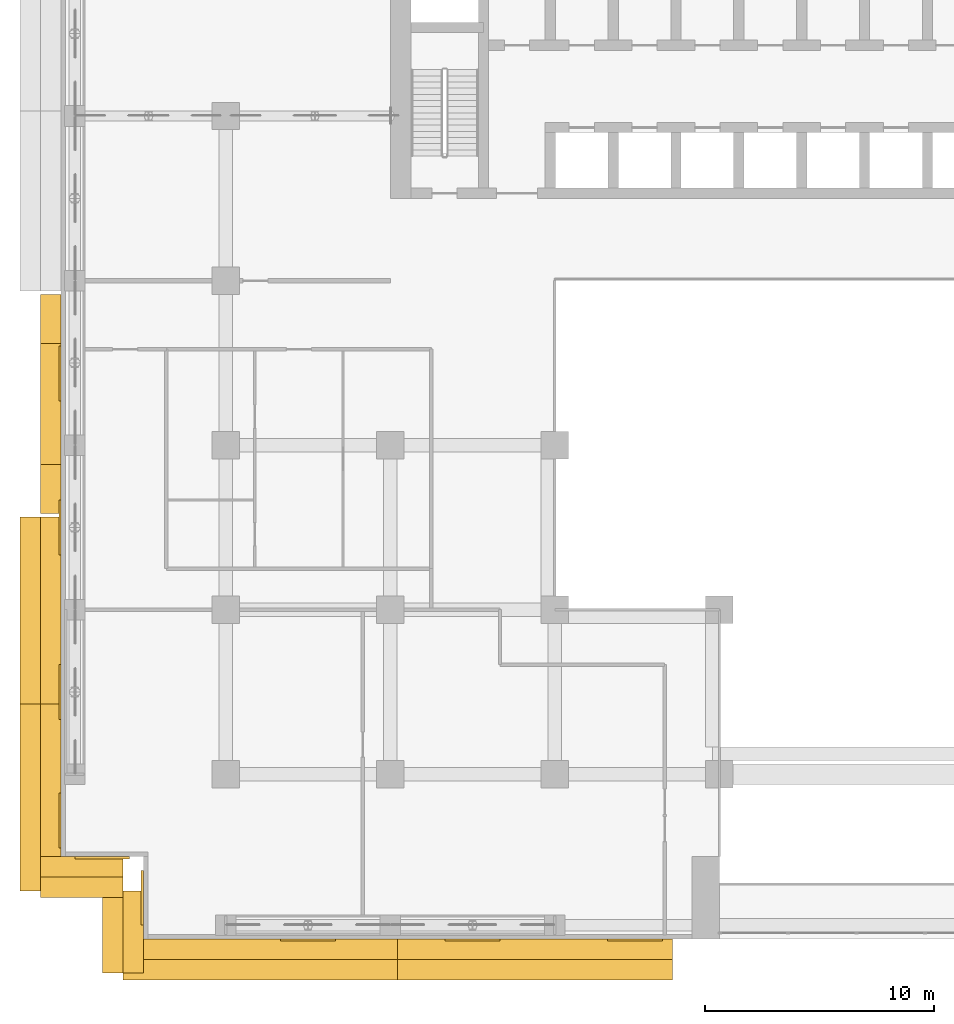
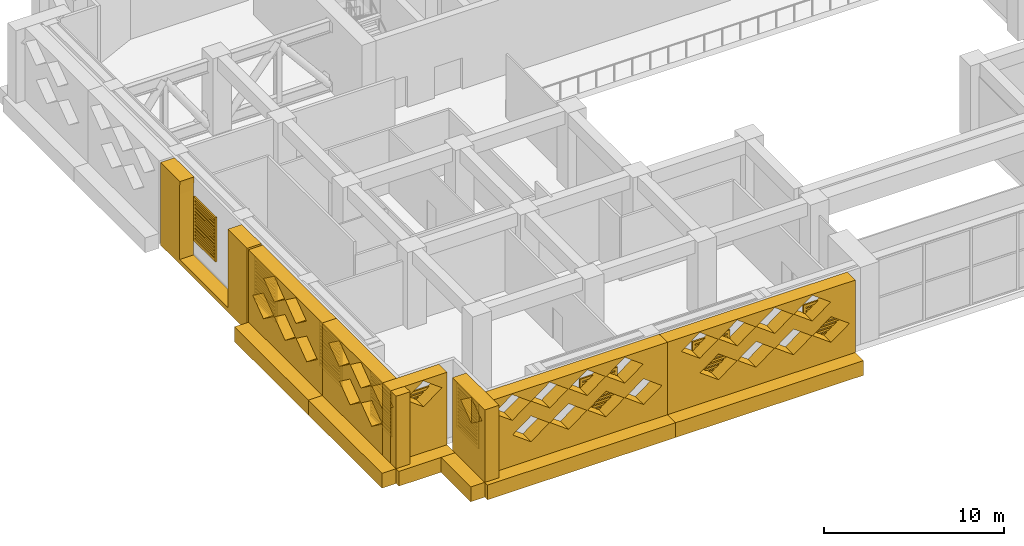
# One storey, part 15 of 19: 22 coverings.
"""IFC4 building model written with IfcOpenShell, lengths in metres."""

from ifc_helpers import new_model, si_unit, direction, frame, origin, place, context, subcontext, project, spatial, polyline, outline, extrude, material, layer, layer_set, type_object, element, save


model = new_model("IFC4")

# Units and contexts
model_context = context("Model", 3, precision=1e-05, world=origin(), true_north=direction((0.0, 1.0)))
body_context = subcontext(model_context, "Body", "Model", "MODEL_VIEW")
ifc_project = project(units=[si_unit("LENGTHUNIT", "METRE"), si_unit("AREAUNIT", "SQUARE_METRE"), si_unit("VOLUMEUNIT", "CUBIC_METRE"), si_unit("PLANEANGLEUNIT", "RADIAN"), si_unit("MASSUNIT", "GRAM", prefix="KILO")], contexts=[model_context])

# Site, building, storey
site_placement = place(None, origin())
site = spatial("IfcSite", under=ifc_project, at=site_placement, CompositionType="ELEMENT")
building_placement = place(site_placement, origin())
building = spatial("IfcBuilding", under=site, at=building_placement, Name="Saffron Iwan Residences", CompositionType="ELEMENT")
storey_placement = place(building_placement, frame((0.0, 0.0, 107.5)))
storey = spatial("IfcBuildingStorey", under=building, at=storey_placement, Name="L28", CompositionType="ELEMENT", Elevation=107.5)

# Coverings
ifc_material_1 = material(Name="Precast concrete C40/50 white painted", Category="concrete")
covering_type_1 = type_object("IfcCoveringType", Name="IWAN PANEL PRECAST WHITE", PredefinedType="CLADDING", material=ifc_material_1)
covering_1_placement = place(storey_placement, frame((14.39990234375, 61.800048828125, -0.39990234375), z_axis=(-1.0, 0.0, 0.0), x_axis=(0.0, -1.0, 0.0)))
element("IfcCovering", 1, at=covering_1_placement, inside=storey, type_object=covering_type_1, Name="Iwan panel L28 F8.0", PredefinedType="CLADDING", context=body_context, shape_type="SweptSolid", body=[
    extrude(outline(polyline([(9.60009765625, 5.60009765625), (9.60009765625, 0.0), (0.0, 0.0), (0.0, 5.60009765625), (2.149169921875, 5.60009765625), (2.12841796875, 5.42529296875), (2.10009765625, 4.7041015625), (2.10009765625, 0.300048828125), (7.5, 0.300048828125), (7.5, 4.7041015625), (7.4716796875, 5.42529296875), (7.45068359375, 5.60009765625), (9.60009765625, 5.60009765625)])), origin(), (0.0, 0.0, 1.0), 0.89990234375),
])
ifc_material_2 = material(Name="Precast concrete C40/50", Category="concrete")
covering_type_2 = type_object("IfcCoveringType", Name="OUTER SKIN LATTICE SCREEN", PredefinedType="CLADDING", material=ifc_material_2)
covering_2_placement = place(storey_placement, frame((14.39990234375, 52.050048828125, -0.39990234375), z_axis=(-1.0, 0.0, 0.0), x_axis=(0.0, -1.0, 0.0)))
element("IfcCovering", 2, at=covering_2_placement, inside=storey, type_object=covering_type_2, Name="OUTER SKIN lattice screen L28 F8.2", PredefinedType="CLADDING", context=body_context, shape_type="SweptSolid", body=[
    extrude(outline(polyline([(0.0, 0.0), (8.175048828125, 0.0), (8.175048828125, 5.60009765625), (0.0, 5.60009765625), (0.0, 0.0)]), holes=[polyline([(0.469970703125, 2.800048828125), (1.64990234375, 1.9267578125), (2.830078125, 2.800048828125), (1.64990234375, 3.67333984375), (0.469970703125, 2.800048828125)]), polyline([(2.8701171875, 2.800048828125), (4.050048828125, 1.9267578125), (5.22998046875, 2.800048828125), (4.050048828125, 3.67333984375), (2.8701171875, 2.800048828125)]), polyline([(5.27001953125, 2.800048828125), (6.449951171875, 1.9267578125), (7.6298828125, 2.800048828125), (6.449951171875, 3.67333984375), (5.27001953125, 2.800048828125)]), polyline([(1.669921875, 4.666748046875), (2.85009765625, 3.793212890625), (4.030029296875, 4.666748046875), (2.85009765625, 5.5400390625), (1.669921875, 4.666748046875)]), polyline([(4.070068359375, 4.666748046875), (5.25, 3.793212890625), (6.429931640625, 4.666748046875), (5.25, 5.5400390625), (4.070068359375, 4.666748046875)])]), origin(), (0.0, 0.0, 1.0), 0.89990234375),
])
covering_3_placement = place(storey_placement, frame((14.39990234375, 43.875, -0.39990234375), z_axis=(-1.0, 0.0, 0.0), x_axis=(0.0, -1.0, 0.0)))
element("IfcCovering", 3, at=covering_3_placement, inside=storey, type_object=covering_type_2, Name="OUTER SKIN lattice screen L28 F8.3", PredefinedType="CLADDING", context=body_context, shape_type="SweptSolid", body=[
    extrude(outline(polyline([(0.0, 0.0), (8.175048828125, 0.0), (8.175048828125, 5.60009765625), (0.0, 5.60009765625), (0.0, 0.0)]), holes=[polyline([(1.89501953125, 2.800048828125), (3.074951171875, 1.9267578125), (4.2548828125, 2.800048828125), (3.074951171875, 3.67333984375), (1.89501953125, 2.800048828125)]), polyline([(4.294921875, 2.800048828125), (5.47509765625, 1.9267578125), (6.655029296875, 2.800048828125), (5.47509765625, 3.67333984375), (4.294921875, 2.800048828125)]), polyline([(0.695068359375, 4.666748046875), (1.875, 3.793212890625), (3.054931640625, 4.666748046875), (1.875, 5.5400390625), (0.695068359375, 4.666748046875)]), polyline([(3.094970703125, 4.666748046875), (4.27490234375, 3.793212890625), (5.455078125, 4.666748046875), (4.27490234375, 5.5400390625), (3.094970703125, 4.666748046875)]), polyline([(5.4951171875, 4.666748046875), (6.675048828125, 3.793212890625), (7.85498046875, 4.666748046875), (6.675048828125, 5.5400390625), (5.4951171875, 4.666748046875)])]), origin(), (0.0, 0.0, 1.0), 0.89990234375),
])
for number, where, z_axis, x_axis, name in (
    (4, (13.5, 37.199951171875, -0.39990234375), (0.0, -1.0, 0.0), (1.0, 0.0, 0.0), "OUTER SKIN lattice screen L28 F9.0"),
    (5, (18.0, 35.699951171875, -0.39990234375), (-1.0, 0.0, 0.0), (0.0, -1.0, 0.0), "OUTER SKIN lattice screen L28 F10.0"),
):
    element("IfcCovering", number, at=place(storey_placement, frame(where, z_axis=z_axis, x_axis=x_axis)), inside=storey, type_object=covering_type_2, Name=name, PredefinedType="CLADDING", context=body_context, shape_type="SweptSolid", body=[
        extrude(outline(polyline([(0.0, 0.0), (3.60009765625, 0.0), (3.60009765625, 5.60009765625), (0.0, 5.60009765625), (0.0, 0.0)]), holes=[polyline([(0.919921875, 4.666748046875), (2.10009765625, 3.793212890625), (3.280029296875, 4.666748046875), (2.10009765625, 5.5400390625), (0.919921875, 4.666748046875)])]), origin(), (0.0, 0.0, 1.0), 0.89990234375),
    ])
covering_4_placement = place(storey_placement, frame((17.10009765625, 33.60009765625, -0.39990234375), z_axis=(0.0, -1.0, 0.0), x_axis=(1.0, 0.0, 0.0)))
element("IfcCovering", 6, at=covering_4_placement, inside=storey, type_object=covering_type_2, Name="OUTER SKIN lattice screen L28 F11.0", PredefinedType="CLADDING", context=body_context, shape_type="SweptSolid", body=[
    extrude(outline(polyline([(0.0, 0.0), (12.02490234375, 0.0), (12.02490234375, 5.60009765625), (0.0, 5.60009765625), (0.0, 0.0)]), holes=[polyline([(2.1201171875, 2.800048828125), (3.300048828125, 1.9267578125), (4.47998046875, 2.800048828125), (3.300048828125, 3.67333984375), (2.1201171875, 2.800048828125)]), polyline([(4.52001953125, 2.800048828125), (5.699951171875, 1.9267578125), (6.8798828125, 2.800048828125), (5.699951171875, 3.67333984375), (4.52001953125, 2.800048828125)]), polyline([(6.919921875, 2.800048828125), (8.10009765625, 1.9267578125), (9.280029296875, 2.800048828125), (8.10009765625, 3.67333984375), (6.919921875, 2.800048828125)]), polyline([(9.320068359375, 2.800048828125), (10.5, 1.9267578125), (11.679931640625, 2.800048828125), (10.5, 3.67333984375), (9.320068359375, 2.800048828125)]), polyline([(0.919921875, 4.666748046875), (2.10009765625, 3.793212890625), (3.280029296875, 4.666748046875), (2.10009765625, 5.5400390625), (0.919921875, 4.666748046875)]), polyline([(3.320068359375, 4.666748046875), (4.5, 3.793212890625), (5.679931640625, 4.666748046875), (4.5, 5.5400390625), (3.320068359375, 4.666748046875)]), polyline([(5.719970703125, 4.666748046875), (6.89990234375, 3.793212890625), (8.080078125, 4.666748046875), (6.89990234375, 5.5400390625), (5.719970703125, 4.666748046875)]), polyline([(8.1201171875, 4.666748046875), (9.300048828125, 3.793212890625), (10.47998046875, 4.666748046875), (9.300048828125, 5.5400390625), (8.1201171875, 4.666748046875)])]), origin(), (0.0, 0.0, 1.0), 0.900146484375),
])
covering_5_placement = place(storey_placement, frame((29.125, 33.60009765625, -0.39990234375), z_axis=(0.0, -1.0, 0.0), x_axis=(1.0, 0.0, 0.0)))
element("IfcCovering", 7, at=covering_5_placement, inside=storey, type_object=covering_type_2, Name="OUTER SKIN lattice screen L28 F11.1", PredefinedType="CLADDING", context=body_context, shape_type="SweptSolid", body=[
    extrude(outline(polyline([(0.0, 0.0), (12.02490234375, 0.0), (12.02490234375, 5.60009765625), (0.0, 5.60009765625), (0.0, 0.0)]), holes=[polyline([(2.094970703125, 2.800048828125), (3.27490234375, 1.9267578125), (4.455078125, 2.800048828125), (3.27490234375, 3.67333984375), (2.094970703125, 2.800048828125)]), polyline([(4.4951171875, 2.800048828125), (5.675048828125, 1.9267578125), (6.85498046875, 2.800048828125), (5.675048828125, 3.67333984375), (4.4951171875, 2.800048828125)]), polyline([(6.89501953125, 2.800048828125), (8.074951171875, 1.9267578125), (9.2548828125, 2.800048828125), (8.074951171875, 3.67333984375), (6.89501953125, 2.800048828125)]), polyline([(9.294921875, 2.800048828125), (10.47509765625, 1.9267578125), (11.655029296875, 2.800048828125), (10.47509765625, 3.67333984375), (9.294921875, 2.800048828125)]), polyline([(0.89501953125, 4.666748046875), (2.074951171875, 3.793212890625), (3.2548828125, 4.666748046875), (2.074951171875, 5.5400390625), (0.89501953125, 4.666748046875)]), polyline([(3.294921875, 4.666748046875), (4.47509765625, 3.793212890625), (5.655029296875, 4.666748046875), (4.47509765625, 5.5400390625), (3.294921875, 4.666748046875)]), polyline([(5.695068359375, 4.666748046875), (6.875, 3.793212890625), (8.054931640625, 4.666748046875), (6.875, 5.5400390625), (5.695068359375, 4.666748046875)]), polyline([(8.094970703125, 4.666748046875), (9.27490234375, 3.793212890625), (10.455078125, 4.666748046875), (9.27490234375, 5.5400390625), (8.094970703125, 4.666748046875)])]), origin(), (0.0, 0.0, 1.0), 0.900146484375),
])
ifc_material_3 = material(Name="Aluminium 6063-T6 louvre", Category="aluminium")
covering_type_3 = type_object("IfcCoveringType", Name="PLANT LOUVRE PANEL 2400 x 3000", PredefinedType="CLADDING", material=ifc_material_3)
covering_6_placement = place(storey_placement, frame((14.39990234375, 59.52880859375, 1.0), z_axis=(-1.0, 0.0, 0.0), x_axis=(0.0, -1.0, 0.0)))
element("IfcCovering", 8, at=covering_6_placement, inside=storey, type_object=covering_type_3, Name="Plant louvre L28 F8.0", PredefinedType="CLADDING", context=body_context, shape_type="SweptSolid", body=[
    extrude(outline(polyline([(0.0, 0.0), (2.39990234375, 0.0), (2.39990234375, 3.0), (0.0, 3.0), (0.0, 0.0)]), holes=[polyline([(0.14990234375, 0.199951171875), (2.25, 0.199951171875), (2.25, 0.2900390625), (0.14990234375, 0.2900390625), (0.14990234375, 0.199951171875)]), polyline([(0.14990234375, 0.429931640625), (2.25, 0.429931640625), (2.25, 0.52001953125), (0.14990234375, 0.52001953125), (0.14990234375, 0.429931640625)]), polyline([(0.14990234375, 0.659912109375), (2.25, 0.659912109375), (2.25, 0.75), (0.14990234375, 0.75), (0.14990234375, 0.659912109375)]), polyline([(0.14990234375, 0.889892578125), (2.25, 0.889892578125), (2.25, 0.97998046875), (0.14990234375, 0.97998046875), (0.14990234375, 0.889892578125)]), polyline([(0.14990234375, 1.1201171875), (2.25, 1.1201171875), (2.25, 1.2099609375), (0.14990234375, 1.2099609375), (0.14990234375, 1.1201171875)]), polyline([(0.14990234375, 1.35009765625), (2.25, 1.35009765625), (2.25, 1.43994140625), (0.14990234375, 1.43994140625), (0.14990234375, 1.35009765625)]), polyline([(0.14990234375, 1.580078125), (2.25, 1.580078125), (2.25, 1.669921875), (0.14990234375, 1.669921875), (0.14990234375, 1.580078125)]), polyline([(0.14990234375, 1.81005859375), (2.25, 1.81005859375), (2.25, 1.89990234375), (0.14990234375, 1.89990234375), (0.14990234375, 1.81005859375)]), polyline([(0.14990234375, 2.0400390625), (2.25, 2.0400390625), (2.25, 2.1298828125), (0.14990234375, 2.1298828125), (0.14990234375, 2.0400390625)]), polyline([(0.14990234375, 2.27001953125), (2.25, 2.27001953125), (2.25, 2.360107421875), (0.14990234375, 2.360107421875), (0.14990234375, 2.27001953125)]), polyline([(0.14990234375, 2.5), (2.25, 2.5), (2.25, 2.590087890625), (0.14990234375, 2.590087890625), (0.14990234375, 2.5)]), polyline([(0.14990234375, 2.72998046875), (2.25, 2.72998046875), (2.25, 2.820068359375), (0.14990234375, 2.820068359375), (0.14990234375, 2.72998046875)])]), origin(), (0.0, 0.0, 1.0), 0.099853515625),
])
covering_7_placement = place(storey_placement, frame((14.39990234375, 52.800048828125, 1.0), z_axis=(-1.0, 0.0, 0.0), x_axis=(0.0, -1.0, 0.0)))
element("IfcCovering", 9, at=covering_7_placement, inside=storey, type_object=covering_type_3, Name="Plant louvre L28 F8.1", PredefinedType="CLADDING", context=body_context, shape_type="SweptSolid", body=[
    extrude(outline(polyline([(0.0, 0.0), (2.39990234375, 0.0), (2.39990234375, 3.0), (0.0, 3.0), (0.0, 0.0)]), holes=[polyline([(0.14990234375, 0.199951171875), (2.25, 0.199951171875), (2.25, 0.2900390625), (0.14990234375, 0.2900390625), (0.14990234375, 0.199951171875)]), polyline([(0.14990234375, 0.429931640625), (2.25, 0.429931640625), (2.25, 0.52001953125), (0.14990234375, 0.52001953125), (0.14990234375, 0.429931640625)]), polyline([(0.14990234375, 0.659912109375), (2.25, 0.659912109375), (2.25, 0.75), (0.14990234375, 0.75), (0.14990234375, 0.659912109375)]), polyline([(0.14990234375, 0.889892578125), (2.25, 0.889892578125), (2.25, 0.97998046875), (0.14990234375, 0.97998046875), (0.14990234375, 0.889892578125)]), polyline([(0.14990234375, 1.1201171875), (2.25, 1.1201171875), (2.25, 1.2099609375), (0.14990234375, 1.2099609375), (0.14990234375, 1.1201171875)]), polyline([(0.14990234375, 1.35009765625), (2.25, 1.35009765625), (2.25, 1.43994140625), (0.14990234375, 1.43994140625), (0.14990234375, 1.35009765625)]), polyline([(0.14990234375, 1.580078125), (2.25, 1.580078125), (2.25, 1.669921875), (0.14990234375, 1.669921875), (0.14990234375, 1.580078125)]), polyline([(0.14990234375, 1.81005859375), (2.25, 1.81005859375), (2.25, 1.89990234375), (0.14990234375, 1.89990234375), (0.14990234375, 1.81005859375)]), polyline([(0.14990234375, 2.0400390625), (2.25, 2.0400390625), (2.25, 2.1298828125), (0.14990234375, 2.1298828125), (0.14990234375, 2.0400390625)]), polyline([(0.14990234375, 2.27001953125), (2.25, 2.27001953125), (2.25, 2.360107421875), (0.14990234375, 2.360107421875), (0.14990234375, 2.27001953125)]), polyline([(0.14990234375, 2.5), (2.25, 2.5), (2.25, 2.590087890625), (0.14990234375, 2.590087890625), (0.14990234375, 2.5)]), polyline([(0.14990234375, 2.72998046875), (2.25, 2.72998046875), (2.25, 2.820068359375), (0.14990234375, 2.820068359375), (0.14990234375, 2.72998046875)])]), origin(), (0.0, 0.0, 1.0), 0.099853515625),
])
covering_8_placement = place(storey_placement, frame((14.39990234375, 45.60009765625, 1.0), z_axis=(-1.0, 0.0, 0.0), x_axis=(0.0, -1.0, 0.0)))
element("IfcCovering", 10, at=covering_8_placement, inside=storey, type_object=covering_type_3, Name="Plant louvre L28 F8.2", PredefinedType="CLADDING", context=body_context, shape_type="SweptSolid", body=[
    extrude(outline(polyline([(0.0, 0.0), (2.39990234375, 0.0), (2.39990234375, 3.0), (0.0, 3.0), (0.0, 0.0)]), holes=[polyline([(0.14990234375, 0.199951171875), (2.25, 0.199951171875), (2.25, 0.2900390625), (0.14990234375, 0.2900390625), (0.14990234375, 0.199951171875)]), polyline([(0.14990234375, 0.429931640625), (2.25, 0.429931640625), (2.25, 0.52001953125), (0.14990234375, 0.52001953125), (0.14990234375, 0.429931640625)]), polyline([(0.14990234375, 0.659912109375), (2.25, 0.659912109375), (2.25, 0.75), (0.14990234375, 0.75), (0.14990234375, 0.659912109375)]), polyline([(0.14990234375, 0.889892578125), (2.25, 0.889892578125), (2.25, 0.97998046875), (0.14990234375, 0.97998046875), (0.14990234375, 0.889892578125)]), polyline([(0.14990234375, 1.1201171875), (2.25, 1.1201171875), (2.25, 1.2099609375), (0.14990234375, 1.2099609375), (0.14990234375, 1.1201171875)]), polyline([(0.14990234375, 1.35009765625), (2.25, 1.35009765625), (2.25, 1.43994140625), (0.14990234375, 1.43994140625), (0.14990234375, 1.35009765625)]), polyline([(0.14990234375, 1.580078125), (2.25, 1.580078125), (2.25, 1.669921875), (0.14990234375, 1.669921875), (0.14990234375, 1.580078125)]), polyline([(0.14990234375, 1.81005859375), (2.25, 1.81005859375), (2.25, 1.89990234375), (0.14990234375, 1.89990234375), (0.14990234375, 1.81005859375)]), polyline([(0.14990234375, 2.0400390625), (2.25, 2.0400390625), (2.25, 2.1298828125), (0.14990234375, 2.1298828125), (0.14990234375, 2.0400390625)]), polyline([(0.14990234375, 2.27001953125), (2.25, 2.27001953125), (2.25, 2.360107421875), (0.14990234375, 2.360107421875), (0.14990234375, 2.27001953125)]), polyline([(0.14990234375, 2.5), (2.25, 2.5), (2.25, 2.590087890625), (0.14990234375, 2.590087890625), (0.14990234375, 2.5)]), polyline([(0.14990234375, 2.72998046875), (2.25, 2.72998046875), (2.25, 2.820068359375), (0.14990234375, 2.820068359375), (0.14990234375, 2.72998046875)])]), origin(), (0.0, 0.0, 1.0), 0.099853515625),
])
covering_9_placement = place(storey_placement, frame((14.39990234375, 39.97509765625, 1.0), z_axis=(-1.0, 0.0, 0.0), x_axis=(0.0, -1.0, 0.0)))
element("IfcCovering", 11, at=covering_9_placement, inside=storey, type_object=covering_type_3, Name="Plant louvre L28 F8.3", PredefinedType="CLADDING", context=body_context, shape_type="SweptSolid", body=[
    extrude(outline(polyline([(0.0, 0.0), (2.39990234375, 0.0), (2.39990234375, 3.0), (0.0, 3.0), (0.0, 0.0)]), holes=[polyline([(0.14990234375, 0.199951171875), (2.25, 0.199951171875), (2.25, 0.2900390625), (0.14990234375, 0.2900390625), (0.14990234375, 0.199951171875)]), polyline([(0.14990234375, 0.429931640625), (2.25, 0.429931640625), (2.25, 0.52001953125), (0.14990234375, 0.52001953125), (0.14990234375, 0.429931640625)]), polyline([(0.14990234375, 0.659912109375), (2.25, 0.659912109375), (2.25, 0.75), (0.14990234375, 0.75), (0.14990234375, 0.659912109375)]), polyline([(0.14990234375, 0.889892578125), (2.25, 0.889892578125), (2.25, 0.97998046875), (0.14990234375, 0.97998046875), (0.14990234375, 0.889892578125)]), polyline([(0.14990234375, 1.1201171875), (2.25, 1.1201171875), (2.25, 1.2099609375), (0.14990234375, 1.2099609375), (0.14990234375, 1.1201171875)]), polyline([(0.14990234375, 1.35009765625), (2.25, 1.35009765625), (2.25, 1.43994140625), (0.14990234375, 1.43994140625), (0.14990234375, 1.35009765625)]), polyline([(0.14990234375, 1.580078125), (2.25, 1.580078125), (2.25, 1.669921875), (0.14990234375, 1.669921875), (0.14990234375, 1.580078125)]), polyline([(0.14990234375, 1.81005859375), (2.25, 1.81005859375), (2.25, 1.89990234375), (0.14990234375, 1.89990234375), (0.14990234375, 1.81005859375)]), polyline([(0.14990234375, 2.0400390625), (2.25, 2.0400390625), (2.25, 2.1298828125), (0.14990234375, 2.1298828125), (0.14990234375, 2.0400390625)]), polyline([(0.14990234375, 2.27001953125), (2.25, 2.27001953125), (2.25, 2.360107421875), (0.14990234375, 2.360107421875), (0.14990234375, 2.27001953125)]), polyline([(0.14990234375, 2.5), (2.25, 2.5), (2.25, 2.590087890625), (0.14990234375, 2.590087890625), (0.14990234375, 2.5)]), polyline([(0.14990234375, 2.72998046875), (2.25, 2.72998046875), (2.25, 2.820068359375), (0.14990234375, 2.820068359375), (0.14990234375, 2.72998046875)])]), origin(), (0.0, 0.0, 1.0), 0.099853515625),
])
covering_10_placement = place(storey_placement, frame((15.0, 37.199951171875, 1.0), z_axis=(0.0, -1.0, 0.0), x_axis=(1.0, 0.0, 0.0)))
element("IfcCovering", 12, at=covering_10_placement, inside=storey, type_object=covering_type_3, Name="Plant louvre L28 F9.0", PredefinedType="CLADDING", context=body_context, shape_type="SweptSolid", body=[
    extrude(outline(polyline([(0.0, 0.0), (2.39990234375, 0.0), (2.39990234375, 3.0), (0.0, 3.0), (0.0, 0.0)]), holes=[polyline([(0.14990234375, 0.199951171875), (2.25, 0.199951171875), (2.25, 0.2900390625), (0.14990234375, 0.2900390625), (0.14990234375, 0.199951171875)]), polyline([(0.14990234375, 0.429931640625), (2.25, 0.429931640625), (2.25, 0.52001953125), (0.14990234375, 0.52001953125), (0.14990234375, 0.429931640625)]), polyline([(0.14990234375, 0.659912109375), (2.25, 0.659912109375), (2.25, 0.75), (0.14990234375, 0.75), (0.14990234375, 0.659912109375)]), polyline([(0.14990234375, 0.889892578125), (2.25, 0.889892578125), (2.25, 0.97998046875), (0.14990234375, 0.97998046875), (0.14990234375, 0.889892578125)]), polyline([(0.14990234375, 1.1201171875), (2.25, 1.1201171875), (2.25, 1.2099609375), (0.14990234375, 1.2099609375), (0.14990234375, 1.1201171875)]), polyline([(0.14990234375, 1.35009765625), (2.25, 1.35009765625), (2.25, 1.43994140625), (0.14990234375, 1.43994140625), (0.14990234375, 1.35009765625)]), polyline([(0.14990234375, 1.580078125), (2.25, 1.580078125), (2.25, 1.669921875), (0.14990234375, 1.669921875), (0.14990234375, 1.580078125)]), polyline([(0.14990234375, 1.81005859375), (2.25, 1.81005859375), (2.25, 1.89990234375), (0.14990234375, 1.89990234375), (0.14990234375, 1.81005859375)]), polyline([(0.14990234375, 2.0400390625), (2.25, 2.0400390625), (2.25, 2.1298828125), (0.14990234375, 2.1298828125), (0.14990234375, 2.0400390625)]), polyline([(0.14990234375, 2.27001953125), (2.25, 2.27001953125), (2.25, 2.360107421875), (0.14990234375, 2.360107421875), (0.14990234375, 2.27001953125)]), polyline([(0.14990234375, 2.5), (2.25, 2.5), (2.25, 2.590087890625), (0.14990234375, 2.590087890625), (0.14990234375, 2.5)]), polyline([(0.14990234375, 2.72998046875), (2.25, 2.72998046875), (2.25, 2.820068359375), (0.14990234375, 2.820068359375), (0.14990234375, 2.72998046875)])]), origin(), (0.0, 0.0, 1.0), 0.099853515625),
])
covering_11_placement = place(storey_placement, frame((18.0, 36.60009765625, 1.0), z_axis=(-1.0, 0.0, 0.0), x_axis=(0.0, -1.0, 0.0)))
element("IfcCovering", 13, at=covering_11_placement, inside=storey, type_object=covering_type_3, Name="Plant louvre L28 F10.0", PredefinedType="CLADDING", context=body_context, shape_type="SweptSolid", body=[
    extrude(outline(polyline([(0.0, 0.0), (2.39990234375, 0.0), (2.39990234375, 3.0), (0.0, 3.0), (0.0, 0.0)]), holes=[polyline([(0.14990234375, 0.199951171875), (2.25, 0.199951171875), (2.25, 0.2900390625), (0.14990234375, 0.2900390625), (0.14990234375, 0.199951171875)]), polyline([(0.14990234375, 0.429931640625), (2.25, 0.429931640625), (2.25, 0.52001953125), (0.14990234375, 0.52001953125), (0.14990234375, 0.429931640625)]), polyline([(0.14990234375, 0.659912109375), (2.25, 0.659912109375), (2.25, 0.75), (0.14990234375, 0.75), (0.14990234375, 0.659912109375)]), polyline([(0.14990234375, 0.889892578125), (2.25, 0.889892578125), (2.25, 0.97998046875), (0.14990234375, 0.97998046875), (0.14990234375, 0.889892578125)]), polyline([(0.14990234375, 1.1201171875), (2.25, 1.1201171875), (2.25, 1.2099609375), (0.14990234375, 1.2099609375), (0.14990234375, 1.1201171875)]), polyline([(0.14990234375, 1.35009765625), (2.25, 1.35009765625), (2.25, 1.43994140625), (0.14990234375, 1.43994140625), (0.14990234375, 1.35009765625)]), polyline([(0.14990234375, 1.580078125), (2.25, 1.580078125), (2.25, 1.669921875), (0.14990234375, 1.669921875), (0.14990234375, 1.580078125)]), polyline([(0.14990234375, 1.81005859375), (2.25, 1.81005859375), (2.25, 1.89990234375), (0.14990234375, 1.89990234375), (0.14990234375, 1.81005859375)]), polyline([(0.14990234375, 2.0400390625), (2.25, 2.0400390625), (2.25, 2.1298828125), (0.14990234375, 2.1298828125), (0.14990234375, 2.0400390625)]), polyline([(0.14990234375, 2.27001953125), (2.25, 2.27001953125), (2.25, 2.360107421875), (0.14990234375, 2.360107421875), (0.14990234375, 2.27001953125)]), polyline([(0.14990234375, 2.5), (2.25, 2.5), (2.25, 2.590087890625), (0.14990234375, 2.590087890625), (0.14990234375, 2.5)]), polyline([(0.14990234375, 2.72998046875), (2.25, 2.72998046875), (2.25, 2.820068359375), (0.14990234375, 2.820068359375), (0.14990234375, 2.72998046875)])]), origin(), (0.0, 0.0, 1.0), 0.10009765625),
])
covering_12_placement = place(storey_placement, frame((24.0, 33.60009765625, 1.0), z_axis=(0.0, -1.0, 0.0), x_axis=(1.0, 0.0, 0.0)))
element("IfcCovering", 14, at=covering_12_placement, inside=storey, type_object=covering_type_3, Name="Plant louvre L28 F11.0", PredefinedType="CLADDING", context=body_context, shape_type="SweptSolid", body=[
    extrude(outline(polyline([(0.0, 0.0), (2.39990234375, 0.0), (2.39990234375, 3.0), (0.0, 3.0), (0.0, 0.0)]), holes=[polyline([(0.14990234375, 0.199951171875), (2.25, 0.199951171875), (2.25, 0.2900390625), (0.14990234375, 0.2900390625), (0.14990234375, 0.199951171875)]), polyline([(0.14990234375, 0.429931640625), (2.25, 0.429931640625), (2.25, 0.52001953125), (0.14990234375, 0.52001953125), (0.14990234375, 0.429931640625)]), polyline([(0.14990234375, 0.659912109375), (2.25, 0.659912109375), (2.25, 0.75), (0.14990234375, 0.75), (0.14990234375, 0.659912109375)]), polyline([(0.14990234375, 0.889892578125), (2.25, 0.889892578125), (2.25, 0.97998046875), (0.14990234375, 0.97998046875), (0.14990234375, 0.889892578125)]), polyline([(0.14990234375, 1.1201171875), (2.25, 1.1201171875), (2.25, 1.2099609375), (0.14990234375, 1.2099609375), (0.14990234375, 1.1201171875)]), polyline([(0.14990234375, 1.35009765625), (2.25, 1.35009765625), (2.25, 1.43994140625), (0.14990234375, 1.43994140625), (0.14990234375, 1.35009765625)]), polyline([(0.14990234375, 1.580078125), (2.25, 1.580078125), (2.25, 1.669921875), (0.14990234375, 1.669921875), (0.14990234375, 1.580078125)]), polyline([(0.14990234375, 1.81005859375), (2.25, 1.81005859375), (2.25, 1.89990234375), (0.14990234375, 1.89990234375), (0.14990234375, 1.81005859375)]), polyline([(0.14990234375, 2.0400390625), (2.25, 2.0400390625), (2.25, 2.1298828125), (0.14990234375, 2.1298828125), (0.14990234375, 2.0400390625)]), polyline([(0.14990234375, 2.27001953125), (2.25, 2.27001953125), (2.25, 2.360107421875), (0.14990234375, 2.360107421875), (0.14990234375, 2.27001953125)]), polyline([(0.14990234375, 2.5), (2.25, 2.5), (2.25, 2.590087890625), (0.14990234375, 2.590087890625), (0.14990234375, 2.5)]), polyline([(0.14990234375, 2.72998046875), (2.25, 2.72998046875), (2.25, 2.820068359375), (0.14990234375, 2.820068359375), (0.14990234375, 2.72998046875)])]), origin(), (0.0, 0.0, 1.0), 0.10009765625),
])
covering_13_placement = place(storey_placement, frame((31.199951171875, 33.60009765625, 1.0), z_axis=(0.0, -1.0, 0.0), x_axis=(1.0, 0.0, 0.0)))
element("IfcCovering", 15, at=covering_13_placement, inside=storey, type_object=covering_type_3, Name="Plant louvre L28 F11.1", PredefinedType="CLADDING", context=body_context, shape_type="SweptSolid", body=[
    extrude(outline(polyline([(0.0, 0.0), (2.39990234375, 0.0), (2.39990234375, 3.0), (0.0, 3.0), (0.0, 0.0)]), holes=[polyline([(0.14990234375, 0.199951171875), (2.25, 0.199951171875), (2.25, 0.2900390625), (0.14990234375, 0.2900390625), (0.14990234375, 0.199951171875)]), polyline([(0.14990234375, 0.429931640625), (2.25, 0.429931640625), (2.25, 0.52001953125), (0.14990234375, 0.52001953125), (0.14990234375, 0.429931640625)]), polyline([(0.14990234375, 0.659912109375), (2.25, 0.659912109375), (2.25, 0.75), (0.14990234375, 0.75), (0.14990234375, 0.659912109375)]), polyline([(0.14990234375, 0.889892578125), (2.25, 0.889892578125), (2.25, 0.97998046875), (0.14990234375, 0.97998046875), (0.14990234375, 0.889892578125)]), polyline([(0.14990234375, 1.1201171875), (2.25, 1.1201171875), (2.25, 1.2099609375), (0.14990234375, 1.2099609375), (0.14990234375, 1.1201171875)]), polyline([(0.14990234375, 1.35009765625), (2.25, 1.35009765625), (2.25, 1.43994140625), (0.14990234375, 1.43994140625), (0.14990234375, 1.35009765625)]), polyline([(0.14990234375, 1.580078125), (2.25, 1.580078125), (2.25, 1.669921875), (0.14990234375, 1.669921875), (0.14990234375, 1.580078125)]), polyline([(0.14990234375, 1.81005859375), (2.25, 1.81005859375), (2.25, 1.89990234375), (0.14990234375, 1.89990234375), (0.14990234375, 1.81005859375)]), polyline([(0.14990234375, 2.0400390625), (2.25, 2.0400390625), (2.25, 2.1298828125), (0.14990234375, 2.1298828125), (0.14990234375, 2.0400390625)]), polyline([(0.14990234375, 2.27001953125), (2.25, 2.27001953125), (2.25, 2.360107421875), (0.14990234375, 2.360107421875), (0.14990234375, 2.27001953125)]), polyline([(0.14990234375, 2.5), (2.25, 2.5), (2.25, 2.590087890625), (0.14990234375, 2.590087890625), (0.14990234375, 2.5)]), polyline([(0.14990234375, 2.72998046875), (2.25, 2.72998046875), (2.25, 2.820068359375), (0.14990234375, 2.820068359375), (0.14990234375, 2.72998046875)])]), origin(), (0.0, 0.0, 1.0), 0.10009765625),
])
covering_14_placement = place(storey_placement, frame((38.300048828125, 33.60009765625, 1.0), z_axis=(0.0, -1.0, 0.0), x_axis=(1.0, 0.0, 0.0)))
element("IfcCovering", 16, at=covering_14_placement, inside=storey, type_object=covering_type_3, Name="Plant louvre L28 F11.2", PredefinedType="CLADDING", context=body_context, shape_type="SweptSolid", body=[
    extrude(outline(polyline([(0.0, 0.0), (2.39990234375, 0.0), (2.39990234375, 3.0), (0.0, 3.0), (0.0, 0.0)]), holes=[polyline([(0.14990234375, 0.199951171875), (2.25, 0.199951171875), (2.25, 0.2900390625), (0.14990234375, 0.2900390625), (0.14990234375, 0.199951171875)]), polyline([(0.14990234375, 0.429931640625), (2.25, 0.429931640625), (2.25, 0.52001953125), (0.14990234375, 0.52001953125), (0.14990234375, 0.429931640625)]), polyline([(0.14990234375, 0.659912109375), (2.25, 0.659912109375), (2.25, 0.75), (0.14990234375, 0.75), (0.14990234375, 0.659912109375)]), polyline([(0.14990234375, 0.889892578125), (2.25, 0.889892578125), (2.25, 0.97998046875), (0.14990234375, 0.97998046875), (0.14990234375, 0.889892578125)]), polyline([(0.14990234375, 1.1201171875), (2.25, 1.1201171875), (2.25, 1.2099609375), (0.14990234375, 1.2099609375), (0.14990234375, 1.1201171875)]), polyline([(0.14990234375, 1.35009765625), (2.25, 1.35009765625), (2.25, 1.43994140625), (0.14990234375, 1.43994140625), (0.14990234375, 1.35009765625)]), polyline([(0.14990234375, 1.580078125), (2.25, 1.580078125), (2.25, 1.669921875), (0.14990234375, 1.669921875), (0.14990234375, 1.580078125)]), polyline([(0.14990234375, 1.81005859375), (2.25, 1.81005859375), (2.25, 1.89990234375), (0.14990234375, 1.89990234375), (0.14990234375, 1.81005859375)]), polyline([(0.14990234375, 2.0400390625), (2.25, 2.0400390625), (2.25, 2.1298828125), (0.14990234375, 2.1298828125), (0.14990234375, 2.0400390625)]), polyline([(0.14990234375, 2.27001953125), (2.25, 2.27001953125), (2.25, 2.360107421875), (0.14990234375, 2.360107421875), (0.14990234375, 2.27001953125)]), polyline([(0.14990234375, 2.5), (2.25, 2.5), (2.25, 2.590087890625), (0.14990234375, 2.590087890625), (0.14990234375, 2.5)]), polyline([(0.14990234375, 2.72998046875), (2.25, 2.72998046875), (2.25, 2.820068359375), (0.14990234375, 2.820068359375), (0.14990234375, 2.72998046875)])]), origin(), (0.0, 0.0, 1.0), 0.10009765625),
])
ifc_layer = layer(ifc_material_1, 0.89990234375)
ifc_layer_set = layer_set([ifc_layer], Name="Precast concrete C40/50 white painted")
covering_type_4 = type_object("IfcCoveringType", Name="WHITE EDGE BAND 900 x 1000", PredefinedType="CLADDING", material=ifc_layer_set)
covering_15_placement = place(storey_placement, frame((0.0, 0.0, -0.699951171875)))
element("IfcCovering", 17, at=covering_15_placement, inside=storey, type_object=covering_type_4, Name="White edge band L28 F8.2", PredefinedType="CLADDING", context=body_context, shape_type="SweptSolid", body=[
    extrude(outline(polyline([(12.60009765625, 52.050048828125), (12.60009765625, 43.875), (13.5, 43.875), (13.5, 52.050048828125), (12.60009765625, 52.050048828125)])), origin(), (0.0, 0.0, 1.0), 1.0),
])
covering_16_placement = place(storey_placement, frame((0.0, 0.0, -0.699951171875)))
element("IfcCovering", 18, at=covering_16_placement, inside=storey, type_object=covering_type_4, Name="White edge band L28 F8.3", PredefinedType="CLADDING", context=body_context, shape_type="SweptSolid", body=[
    extrude(outline(polyline([(12.60009765625, 43.875), (12.60009765625, 35.699951171875), (13.5, 35.699951171875), (13.5, 43.875), (12.60009765625, 43.875)])), origin(), (0.0, 0.0, 1.0), 1.0),
])
covering_17_placement = place(storey_placement, frame((0.0, 0.0, -0.699951171875)))
element("IfcCovering", 19, at=covering_17_placement, inside=storey, type_object=covering_type_4, Name="White edge band L28 F9.0", PredefinedType="CLADDING", context=body_context, shape_type="SweptSolid", body=[
    extrude(outline(polyline([(13.5, 35.39990234375), (17.10009765625, 35.39990234375), (17.10009765625, 36.300048828125), (13.5, 36.300048828125), (13.5, 35.39990234375)])), origin(), (0.0, 0.0, 1.0), 1.0),
])
covering_18_placement = place(storey_placement, frame((0.0, 0.0, -0.699951171875)))
element("IfcCovering", 20, at=covering_18_placement, inside=storey, type_object=covering_type_4, Name="White edge band L28 F10.0", PredefinedType="CLADDING", context=body_context, shape_type="SweptSolid", body=[
    extrude(outline(polyline([(16.199951171875, 35.699951171875), (16.199951171875, 32.10009765625), (17.10009765625, 32.10009765625), (17.10009765625, 35.699951171875), (16.199951171875, 35.699951171875)])), origin(), (0.0, 0.0, 1.0), 1.0),
])
covering_19_placement = place(storey_placement, frame((0.0, 0.0, -0.699951171875)))
element("IfcCovering", 21, at=covering_19_placement, inside=storey, type_object=covering_type_4, Name="White edge band L28 F11.0", PredefinedType="CLADDING", context=body_context, shape_type="SweptSolid", body=[
    extrude(outline(polyline([(17.10009765625, 31.800048828125), (29.125, 31.800048828125), (29.125, 32.699951171875), (17.10009765625, 32.699951171875), (17.10009765625, 31.800048828125)])), origin(), (0.0, 0.0, 1.0), 1.0),
])
covering_20_placement = place(storey_placement, frame((0.0, 0.0, -0.699951171875)))
element("IfcCovering", 22, at=covering_20_placement, inside=storey, type_object=covering_type_4, Name="White edge band L28 F11.1", PredefinedType="CLADDING", context=body_context, shape_type="SweptSolid", body=[
    extrude(outline(polyline([(29.125, 31.800048828125), (41.14990234375, 31.800048828125), (41.14990234375, 32.699951171875), (29.125, 32.699951171875), (29.125, 31.800048828125)])), origin(), (0.0, 0.0, 1.0), 1.0),
])

save(model, "model.ifc")
